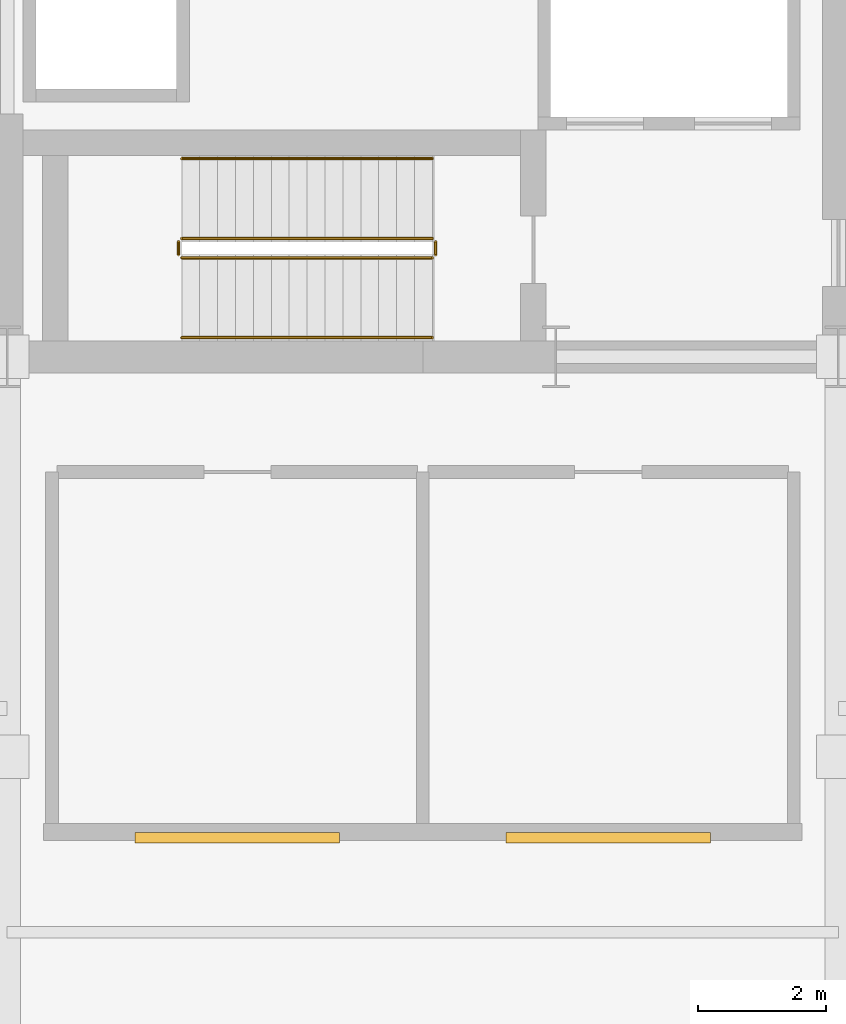
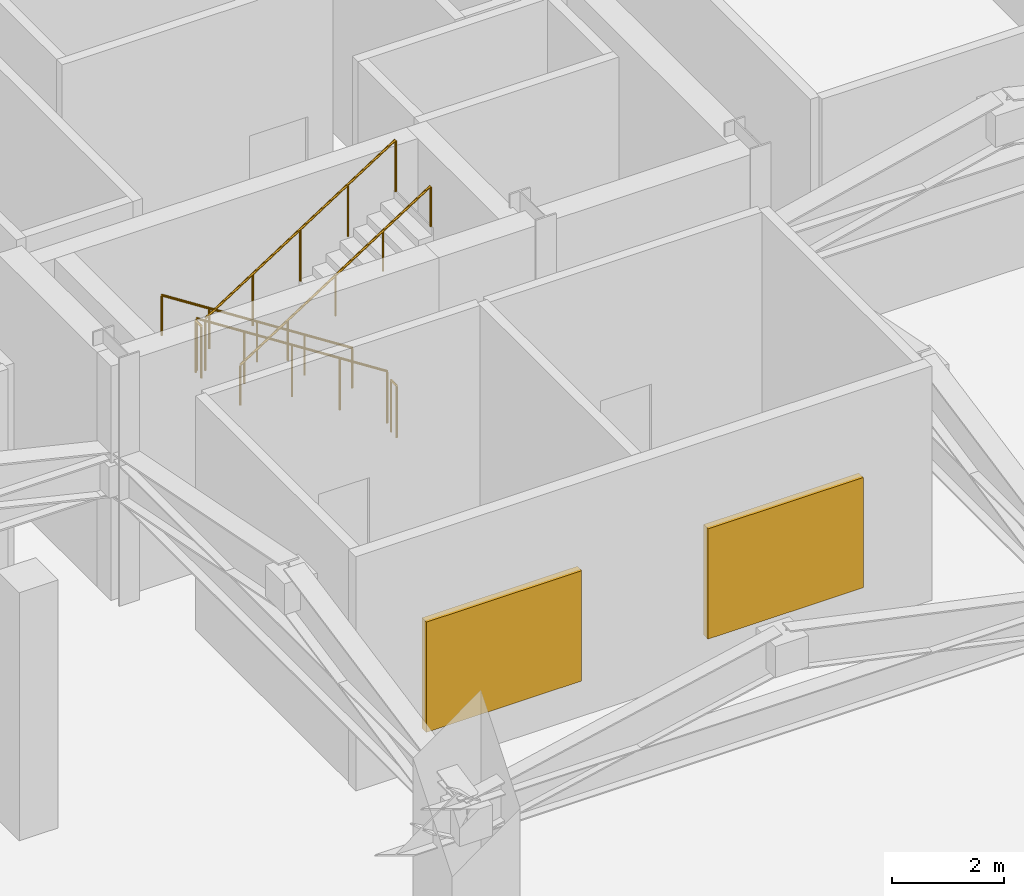
# One storey, part 6 of 9: 6 railings, 2 shading devices.
"""IFC4 building model written with IfcOpenShell, lengths in metres."""

from ifc_helpers import new_model, si_unit, direction, frame, origin, origin_2d, place, context, subcontext, project, spatial, rectangle, circle, extrude, material, type_object, element, save


model = new_model("IFC4")

# Units and contexts
model_context = context("Model", 3, precision=1e-05, world=origin(), true_north=direction((0.0, 1.0)))
body_context = subcontext(model_context, "Body", "Model", "MODEL_VIEW")
ifc_project = project(units=[si_unit("LENGTHUNIT", "METRE"), si_unit("AREAUNIT", "SQUARE_METRE"), si_unit("VOLUMEUNIT", "CUBIC_METRE"), si_unit("PLANEANGLEUNIT", "RADIAN"), si_unit("MASSUNIT", "GRAM", prefix="KILO")], contexts=[model_context])

# Site, building, storey
site_placement = place(None, origin())
site = spatial("IfcSite", under=ifc_project, at=site_placement, CompositionType="ELEMENT")
building_placement = place(site_placement, origin())
building = spatial("IfcBuilding", under=site, at=building_placement, Name="Barlavira Tower and Art Museum", CompositionType="ELEMENT")
storey_placement = place(building_placement, frame((0.0, 0.0, 93.60009765625)))
storey = spatial("IfcBuildingStorey", under=building, at=storey_placement, Name="L23", CompositionType="ELEMENT", Elevation=93.60009765625)

# Shading devices
ifc_material_1 = material(Name="Pale anodised aluminium", Category="aluminium")
shading_device_type = type_object("IfcShadingDeviceType", Name="Crown Acoustic Weatherproof Plant Louvre Panel", PredefinedType="USERDEFINED", material=ifc_material_1)
for number, where, z_axis, x_axis, name in (
    (1, (-2.89990234375, -15.02001953125, 0.800048828125), (0.0, 0.0, 1.0), (1.0, 0.0, 0.0), "L23 Plant Intake Louvre 1"),
    (2, (2.89990234375, -15.02001953125, 0.800048828125), (0.0, 0.0, 1.0), (1.0, 0.0, 0.0), "L23 Plant Intake Louvre 2"),
):
    element("IfcShadingDevice", number, at=place(storey_placement, frame(where, z_axis=z_axis, x_axis=x_axis)), inside=storey, type_object=shading_device_type, Name=name, ObjectType="LOUVER", PredefinedType="USERDEFINED", context=body_context, shape_type="SweptSolid", body=[
        extrude(rectangle(XDim=3.199951171875, YDim=0.159912109375, at=origin_2d()), origin(), (0.0, 0.0, 1.0), 2.39990234375),
    ])

# Railings
ifc_material_2 = material(Name="Brushed stainless steel", Category="steel")
railing_type_1 = type_object("IfcRailingType", Name="Interior Void and Landing Guard Railing 1150", PredefinedType="GUARDRAIL", material=ifc_material_2)
railing_1_placement = place(storey_placement, frame((0.14990234375, -5.64990234375, 0.179931640625)))
element("IfcRailing", 3, at=railing_1_placement, inside=storey, type_object=railing_type_1, Name="L23 ST-T1 stair guard 1", PredefinedType="GUARDRAIL", context=body_context, shape_type="SweptSolid", body=[
    extrude(circle(Radius=0.02392578125, at=origin_2d()), frame((0.0, 0.0, 1.1259765625), z_axis=(-0.841171666519, 0.0, 0.540768182723), x_axis=(0.0, -1.0, 0.0)), (0.0, 0.0, 1.0), 4.66015625),
    extrude(circle(Radius=0.02099609375, at=origin_2d()), origin(), (0.0, 0.0, 1.0), 1.101806640625),
    extrude(circle(Radius=0.02099609375, at=origin_2d()), frame((-0.97998046875, 0.0, 0.6298828125)), (0.0, 0.0, 1.0), 1.101806640625),
    extrude(circle(Radius=0.02099609375, at=origin_2d()), frame((-1.9599609375, 0.0, 1.260009765625)), (0.0, 0.0, 1.0), 1.101806640625),
    extrude(circle(Radius=0.02099609375, at=origin_2d()), frame((-2.93994140625, 0.0, 1.89013671875)), (0.0, 0.0, 1.0), 1.101806640625),
    extrude(circle(Radius=0.02099609375, at=origin_2d()), frame((-3.919921875, 0.0, 2.52001953125)), (0.0, 0.0, 1.0), 1.101806640625),
])
railing_2_placement = place(storey_placement, frame((-3.820068359375, -5.699951171875, 2.699951171875)))
element("IfcRailing", 4, at=railing_2_placement, inside=storey, type_object=railing_type_1, Name="L23 ST-T1 stair guard 2", PredefinedType="GUARDRAIL", context=body_context, shape_type="SweptSolid", body=[
    extrude(circle(Radius=0.02392578125, at=origin_2d()), frame((0.0, 0.0, 1.1259765625), z_axis=(0.0, -1.0, 0.0), x_axis=(1.0, 0.0, 0.0)), (0.0, 0.0, 1.0), 0.199951171875),
    extrude(circle(Radius=0.02099609375, at=origin_2d()), origin(), (0.0, 0.0, 1.0), 1.101806640625),
    extrude(circle(Radius=0.02099609375, at=origin_2d()), frame((0.0, -0.199951171875, 0.0)), (0.0, 0.0, 1.0), 1.101806640625),
])
railing_3_placement = place(storey_placement, frame((-3.77001953125, -5.949951171875, 2.8798828125)))
element("IfcRailing", 5, at=railing_3_placement, inside=storey, type_object=railing_type_1, Name="L23 ST-T1 stair guard 3", PredefinedType="GUARDRAIL", context=body_context, shape_type="SweptSolid", body=[
    extrude(circle(Radius=0.02392578125, at=origin_2d()), frame((0.0, 0.0, 1.1259765625), z_axis=(0.841171666519, 0.0, 0.540768182723), x_axis=(0.0, 1.0, 0.0)), (0.0, 0.0, 1.0), 4.66015625),
    extrude(circle(Radius=0.02099609375, at=origin_2d()), origin(), (0.0, 0.0, 1.0), 1.101806640625),
    extrude(circle(Radius=0.02099609375, at=origin_2d()), frame((0.97998046875, 0.0, 0.6298828125)), (0.0, 0.0, 1.0), 1.101806640625),
    extrude(circle(Radius=0.02099609375, at=origin_2d()), frame((1.9599609375, 0.0, 1.260009765625)), (0.0, 0.0, 1.0), 1.101806640625),
    extrude(circle(Radius=0.02099609375, at=origin_2d()), frame((2.93994140625, 0.0, 1.89013671875)), (0.0, 0.0, 1.0), 1.101806640625),
    extrude(circle(Radius=0.02099609375, at=origin_2d()), frame((3.919921875, 0.0, 2.52001953125)), (0.0, 0.0, 1.0), 1.101806640625),
])
railing_4_placement = place(storey_placement, frame((0.199951171875, -5.699951171875, 0.0)))
element("IfcRailing", 6, at=railing_4_placement, inside=storey, type_object=railing_type_1, Name="L23 ST-T1 stair guard 4", PredefinedType="GUARDRAIL", context=body_context, shape_type="SweptSolid", body=[
    extrude(circle(Radius=0.02392578125, at=origin_2d()), frame((0.0, 0.0, 1.1259765625), z_axis=(0.0, -1.0, 0.0), x_axis=(1.0, 0.0, 0.0)), (0.0, 0.0, 1.0), 0.199951171875),
    extrude(circle(Radius=0.02099609375, at=origin_2d()), origin(), (0.0, 0.0, 1.0), 1.101806640625),
    extrude(circle(Radius=0.02099609375, at=origin_2d()), frame((0.0, -0.199951171875, 0.0)), (0.0, 0.0, 1.0), 1.101806640625),
])
railing_type_2 = type_object("IfcRailingType", Name="Stair Pitch Tubular Steel Handrail 920", PredefinedType="HANDRAIL", material=ifc_material_2)
railing_5_placement = place(storey_placement, frame((0.14990234375, -4.39990234375, 0.179931640625)))
element("IfcRailing", 7, at=railing_5_placement, inside=storey, type_object=railing_type_2, Name="L23 ST-T1 stair handrail 1", PredefinedType="HANDRAIL", context=body_context, shape_type="SweptSolid", body=[
    extrude(circle(Radius=0.02392578125, at=origin_2d()), frame((0.0, 0.0, 0.8759765625), z_axis=(-0.841171666519, 0.0, 0.540768182723), x_axis=(0.0, -1.0, 0.0)), (0.0, 0.0, 1.0), 4.66015625),
    extrude(circle(Radius=0.02099609375, at=origin_2d()), origin(), (0.0, 0.0, 1.0), 0.851806640625),
    extrude(circle(Radius=0.02099609375, at=origin_2d()), frame((-0.97998046875, 0.0, 0.6298828125)), (0.0, 0.0, 1.0), 0.851806640625),
    extrude(circle(Radius=0.02099609375, at=origin_2d()), frame((-1.9599609375, 0.0, 1.260009765625)), (0.0, 0.0, 1.0), 0.851806640625),
    extrude(circle(Radius=0.02099609375, at=origin_2d()), frame((-2.93994140625, 0.0, 1.89013671875)), (0.0, 0.0, 1.0), 0.851806640625),
    extrude(circle(Radius=0.02099609375, at=origin_2d()), frame((-3.919921875, 0.0, 2.52001953125)), (0.0, 0.0, 1.0), 0.851806640625),
])
railing_6_placement = place(storey_placement, frame((-3.77001953125, -7.199951171875, 2.8798828125)))
element("IfcRailing", 8, at=railing_6_placement, inside=storey, type_object=railing_type_2, Name="L23 ST-T1 stair handrail 2", PredefinedType="HANDRAIL", context=body_context, shape_type="SweptSolid", body=[
    extrude(circle(Radius=0.02392578125, at=origin_2d()), frame((0.0, 0.0, 0.8759765625), z_axis=(0.841171666519, 0.0, 0.540768182723), x_axis=(0.0, 1.0, 0.0)), (0.0, 0.0, 1.0), 4.66015625),
    extrude(circle(Radius=0.02099609375, at=origin_2d()), origin(), (0.0, 0.0, 1.0), 0.851806640625),
    extrude(circle(Radius=0.02099609375, at=origin_2d()), frame((0.97998046875, 0.0, 0.6298828125)), (0.0, 0.0, 1.0), 0.851806640625),
    extrude(circle(Radius=0.02099609375, at=origin_2d()), frame((1.9599609375, 0.0, 1.260009765625)), (0.0, 0.0, 1.0), 0.851806640625),
    extrude(circle(Radius=0.02099609375, at=origin_2d()), frame((2.93994140625, 0.0, 1.89013671875)), (0.0, 0.0, 1.0), 0.851806640625),
    extrude(circle(Radius=0.02099609375, at=origin_2d()), frame((3.919921875, 0.0, 2.52001953125)), (0.0, 0.0, 1.0), 0.851806640625),
])

save(model, "model.ifc")
